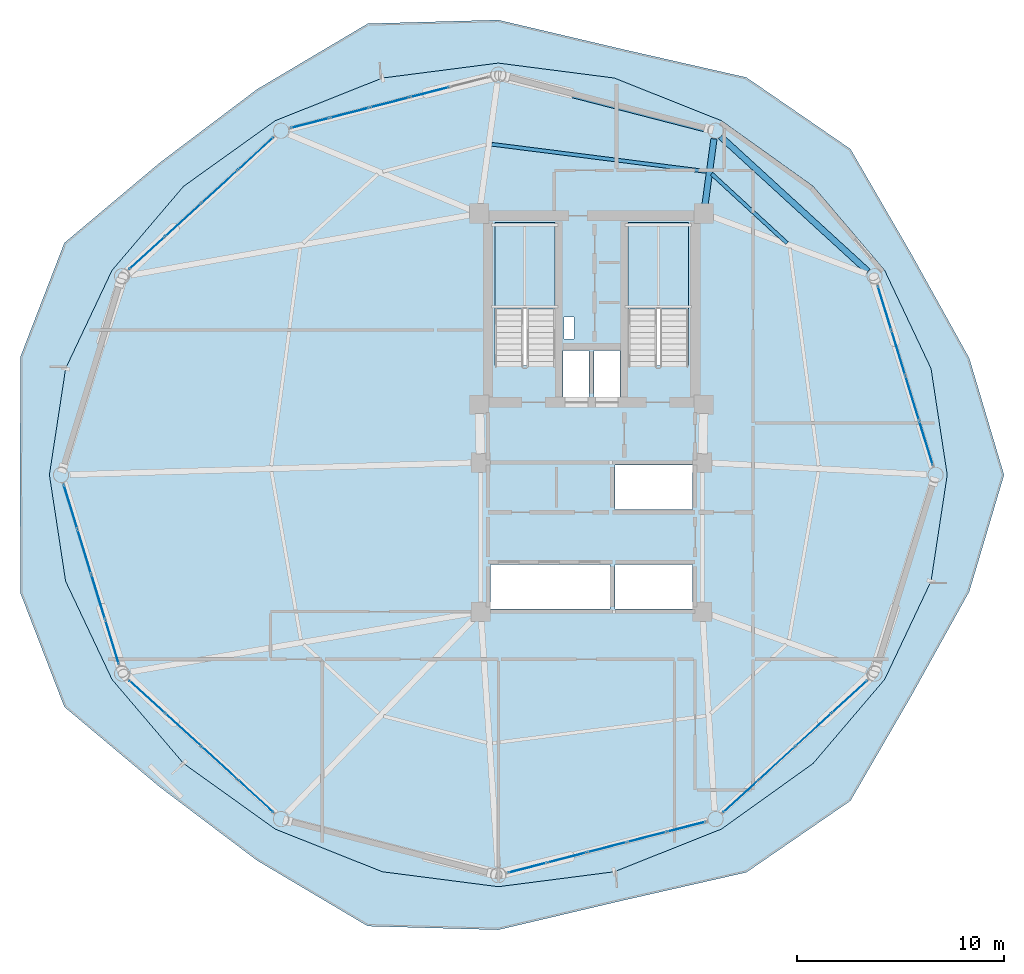
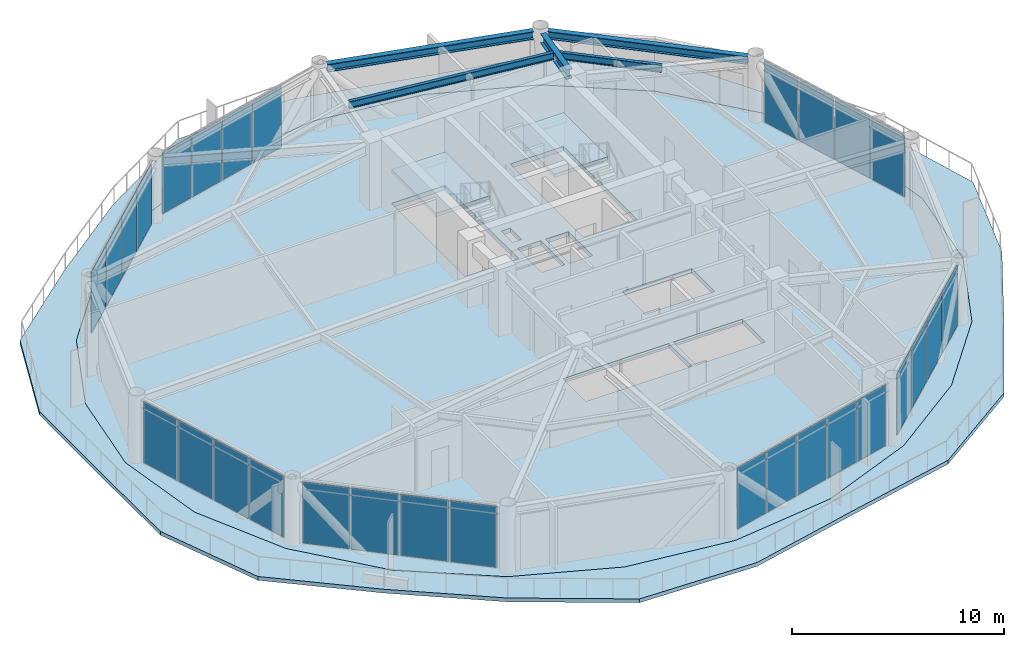
# One storey, part 17 of 23: 29 plates, 5 beams, 4 slabs, 9 elements without a shape of their own.
"""IFC4 building model written with IfcOpenShell, lengths in metres."""

from ifc_helpers import new_model, si_unit, direction, frame, origin, origin_2d, place, context, subcontext, project, spatial, polyline, rectangle, i_section, outline, extrude, source, transform, mapped, material, layer, layer_set, material_profile, profile_set, type_object, type_shapes, element, aggregate, save


model = new_model("IFC4")

# Units and contexts
model_context = context("Model", 3, precision=1e-05, world=origin(), true_north=direction((0.0, 1.0)))
body_context = subcontext(model_context, "Body", "Model", "MODEL_VIEW")
ifc_project = project(units=[si_unit("LENGTHUNIT", "METRE"), si_unit("AREAUNIT", "SQUARE_METRE"), si_unit("VOLUMEUNIT", "CUBIC_METRE"), si_unit("PLANEANGLEUNIT", "RADIAN"), si_unit("MASSUNIT", "GRAM", prefix="KILO")], contexts=[model_context])

# Site, building, storey
site_placement = place(None, origin())
site = spatial("IfcSite", under=ifc_project, at=site_placement, CompositionType="ELEMENT")
building_placement = place(site_placement, origin())
building = spatial("IfcBuilding", under=site, at=building_placement, Name="Varnakorn Sky Granary", CompositionType="ELEMENT")
storey_placement = place(building_placement, frame((0.0, 0.0, 130.5)))
storey = spatial("IfcBuildingStorey", under=building, at=storey_placement, Name="L32", CompositionType="ELEMENT", Elevation=130.5)

# Beams
ifc_material_1 = material(Name="Steel S355JR", Category="steel")
ifc_material_profile_1 = material_profile(ifc_material_1, i_section(OverallWidth=0.300048828125, OverallDepth=0.550048828125, WebThickness=0.014892578125, FlangeThickness=0.029052734375, at=origin_2d()), Name="HE 550 B")
ifc_profile_set_1 = profile_set([ifc_material_profile_1], Name="Steel S355JR")
beam_type_1 = type_object("IfcBeamType", Name="BM-RAD-Z3", PredefinedType="BEAM", material=ifc_profile_set_1)
beam_1_placement = place(storey_placement, frame((8.4765625, 13.0361328125, 3.364990234375), z_axis=(0.134485206373, 0.990915601485, 0.0), x_axis=(-0.990915601485, 0.134485206373, 0.0)))
element("IfcBeam", 1, at=beam_1_placement, inside=storey, type_object=beam_type_1, Name="Radial Floor Girder RG03 L32", PredefinedType="BEAM", context=body_context, shape_type="SweptSolid", body=[
    extrude(i_section(OverallWidth=0.300048828125, OverallDepth=0.550048828125, WebThickness=0.014892578125, FlangeThickness=0.029052734375, at=origin_2d()), origin(), (0.0, 0.0, 1.0), 3.20947265625),
])
ifc_material_profile_2 = material_profile(ifc_material_1, i_section(OverallWidth=0.179931640625, OverallDepth=0.39990234375, WebThickness=0.008544921875, FlangeThickness=0.013427734375, at=origin_2d()), Name="IPE 400")
ifc_profile_set_2 = profile_set([ifc_material_profile_2], Name="Steel S355JR")
beam_type_2 = type_object("IfcBeamType", Name="BM-SEC-Z3", PredefinedType="BEAM", material=ifc_profile_set_2)
beam_2_placement = place(storey_placement, frame((12.438720703125, 11.181396484375, 3.43994140625), z_axis=(-0.736106965498, 0.676865226869, 0.0), x_axis=(-0.676865226869, -0.736106965498, 0.0)))
element("IfcBeam", 2, at=beam_2_placement, inside=storey, type_object=beam_type_2, Name="Secondary Floor Chord Beam MSB02 L32", PredefinedType="BEAM", context=body_context, shape_type="SweptSolid", body=[
    extrude(i_section(OverallWidth=0.179931640625, OverallDepth=0.39990234375, WebThickness=0.008544921875, FlangeThickness=0.013427734375, at=origin_2d()), origin(), (0.0, 0.0, 1.0), 4.949462890625),
])
beam_3_placement = place(storey_placement, frame((8.553466796875, 14.64404296875, 3.43994140625), z_axis=(-0.992063350526, 0.125739049395, 0.0), x_axis=(-0.125739049395, -0.992063350526, 0.0)))
element("IfcBeam", 3, at=beam_3_placement, inside=storey, type_object=beam_type_2, Name="Secondary Floor Chord Beam MSB03 L32", PredefinedType="BEAM", context=body_context, shape_type="SweptSolid", body=[
    extrude(i_section(OverallWidth=0.179931640625, OverallDepth=0.39990234375, WebThickness=0.008544921875, FlangeThickness=0.013427734375, at=origin_2d()), origin(), (0.0, 0.0, 1.0), 10.453857421875),
])
ifc_material_profile_3 = material_profile(ifc_material_1, i_section(OverallWidth=0.300048828125, OverallDepth=0.449951171875, WebThickness=0.013916015625, FlangeThickness=0.02587890625, at=origin_2d()), Name="HE 450 B")
ifc_profile_set_3 = profile_set([ifc_material_profile_3], Name="Steel S355JR")
beam_type_3 = type_object("IfcBeamType", Name="BM-SPD-Z3", PredefinedType="SPANDREL", material=ifc_profile_set_3)
beam_4_placement = place(storey_placement, frame((16.343017578125, 9.819091796875, 3.4150390625), z_axis=(-0.737648769429, 0.6751846362, 0.0), x_axis=(-0.6751846362, -0.737648769429, 0.0)))
element("IfcBeam", 4, at=beam_4_placement, inside=storey, type_object=beam_type_3, Name="Perimeter Spandrel Ring Beam RB02 L32", PredefinedType="SPANDREL", context=body_context, shape_type="SweptSolid", body=[
    extrude(i_section(OverallWidth=0.300048828125, OverallDepth=0.449951171875, WebThickness=0.013916015625, FlangeThickness=0.02587890625, at=origin_2d()), origin(), (0.0, 0.0, 1.0), 9.646240234375),
])
beam_5_placement = place(storey_placement, frame((8.60302734375, 16.670654296875, 3.4150390625), z_axis=(-0.96825101145, 0.24997995685, 0.0), x_axis=(-0.24997995685, -0.96825101145, 0.0)))
element("IfcBeam", 5, at=beam_5_placement, inside=storey, type_object=beam_type_3, Name="Perimeter Spandrel Ring Beam RB03 L32", PredefinedType="SPANDREL", context=body_context, shape_type="SweptSolid", body=[
    extrude(i_section(OverallWidth=0.300048828125, OverallDepth=0.449951171875, WebThickness=0.013916015625, FlangeThickness=0.02587890625, at=origin_2d()), origin(), (0.0, 0.0, 1.0), 10.068115234375),
])

# Stair, slab
ifc_material_2 = material(Name="Concrete C40/50", Category="concrete")
stair_type = type_object("IfcStairType", Name="ST-MAIN-ASSEMBLY", PredefinedType="HALF_TURN_STAIR", material=ifc_material_2)
stair_1_placement = place(storey_placement, origin())
stair_1 = element("IfcStair", 6, at=stair_1_placement, inside=storey, type_object=stair_type, Name="L32 Protected Exit Stair ST-1", PredefinedType="HALF_TURN_STAIR")
ifc_layer_1 = layer(ifc_material_2, 0.199951171875, Name="Concrete C40/50")
ifc_layer_set_1 = layer_set([ifc_layer_1], Name="Concrete C40/50")
slab_type_1 = type_object("IfcSlabType", Name="ST-MAIN-LAND", PredefinedType="LANDING", material=ifc_layer_set_1)
slab_1_placement = place(storey_placement, frame((0.0, 0.0, 1.75)))
slab_1 = element("IfcSlab", 7, at=slab_1_placement, type_object=slab_type_1, Name="ST-1 landing 1", PredefinedType="LANDING", context=body_context, shape_type="SweptSolid", body=[
    extrude(outline(polyline([(1.239990234375, 8.0), (1.239990234375, 12.179931640625), (-1.669921875, 12.179931640625), (-1.669921875, 8.0), (1.239990234375, 8.0)])), origin(), (0.0, 0.0, 1.0), 0.199951171875),
])
aggregate(stair_1, [slab_1])

stair_2_placement = place(storey_placement, origin())
stair_2 = element("IfcStair", 8, at=stair_2_placement, inside=storey, type_object=stair_type, Name="L32 Protected Exit Stair ST-2", PredefinedType="HALF_TURN_STAIR")
slab_2_placement = place(storey_placement, frame((0.0, 0.0, 1.75)))
slab_2 = element("IfcSlab", 9, at=slab_2_placement, type_object=slab_type_1, Name="ST-2 landing 1", PredefinedType="LANDING", context=body_context, shape_type="SweptSolid", body=[
    extrude(outline(polyline([(7.679931640625, 8.0), (7.679931640625, 12.179931640625), (4.77001953125, 12.179931640625), (4.77001953125, 8.0), (7.679931640625, 8.0)])), origin(), (0.0, 0.0, 1.0), 0.199951171875),
])
aggregate(stair_2, [slab_2])

# Slabs
ifc_material_3 = material(Name="Precast concrete C40/50", Category="concrete")
ifc_layer_2 = layer(ifc_material_3, 0.219970703125, Name="Precast concrete C40/50")
ifc_layer_set_2 = layer_set([ifc_layer_2], Name="Precast concrete C40/50")
slab_type_2 = type_object("IfcSlabType", Name="ST-SL-DECK-220", PredefinedType="FLOOR", material=ifc_layer_set_2)
slab_3_placement = place(storey_placement, frame((0.0, 0.0, -0.219970703125)))
element("IfcSlab", 10, at=slab_3_placement, inside=storey, type_object=slab_type_2, Name="Wavy Sky-Farm Balcony Deck L32", PredefinedType="FLOOR", context=body_context, shape_type="SweptSolid", body=[
    extrude(outline(polyline([(22.906982421875, 0.0), (21.2294921875, 5.626708984375), (18.45361328125, 10.624755859375), (15.494384765625, 15.72802734375), (10.470947265625, 19.183349609375), (4.469482421875, 20.548583984375), (-1.5, 21.9560546875), (-7.799560546875, 21.7802734375), (-13.14111328125, 18.61181640625), (-17.83447265625, 15.068115234375), (-22.443603515625, 11.1962890625), (-24.559326171875, 5.715087890625), (-24.5869140625, 0.0), (-24.559326171875, -5.715087890625), (-22.443603515625, -11.1962890625), (-17.83447265625, -15.068115234375), (-13.14111328125, -18.61181640625), (-7.799560546875, -21.7802734375), (-1.5, -21.9560546875), (4.469482421875, -20.548583984375), (10.470947265625, -19.183349609375), (15.494384765625, -15.72802734375), (18.45361328125, -10.624755859375), (21.2294921875, -5.626708984375), (22.906982421875, 0.0)]), holes=[polyline([(20.1669921875, 0.0), (19.38525390625, 5.132568359375), (17.147216796875, 9.87060546875), (13.693603515625, 13.92724609375), (9.26611328125, 17.09619140625), (4.09619140625, 19.1552734375), (-1.5, 19.8759765625), (-7.09619140625, 19.1552734375), (-12.26611328125, 17.09619140625), (-16.693603515625, 13.92724609375), (-20.147216796875, 9.87060546875), (-22.38525390625, 5.132568359375), (-23.1669921875, 0.0), (-22.38525390625, -5.132568359375), (-20.147216796875, -9.87060546875), (-16.693603515625, -13.92724609375), (-12.26611328125, -17.09619140625), (-7.09619140625, -19.1552734375), (-1.5, -19.8759765625), (4.09619140625, -19.1552734375), (9.26611328125, -17.09619140625), (13.693603515625, -13.92724609375), (17.147216796875, -9.87060546875), (19.38525390625, -5.132568359375), (20.1669921875, 0.0)])]), origin(), (0.0, 0.0, 1.0), 0.219970703125),
])
ifc_material_4 = material(Name="Concrete C50/60", Category="concrete")
ifc_layer_3 = layer(ifc_material_4, 0.260009765625, Name="Concrete C50/60")
ifc_layer_set_3 = layer_set([ifc_layer_3], Name="Concrete C50/60")
slab_type_3 = type_object("IfcSlabType", Name="ST-SL-TWR-260", PredefinedType="FLOOR", material=ifc_layer_set_3)
slab_4_placement = place(storey_placement, frame((0.0, 0.0, -0.260009765625)))
element("IfcSlab", 11, at=slab_4_placement, inside=storey, type_object=slab_type_3, Name="Level L32 Structural Floor Slab", PredefinedType="FLOOR", context=body_context, shape_type="SweptSolid", body=[
    extrude(outline(polyline([(20.1669921875, 0.0), (19.38525390625, 5.132568359375), (17.147216796875, 9.87060546875), (13.693603515625, 13.92724609375), (9.26611328125, 17.09619140625), (4.09619140625, 19.1552734375), (-1.5, 19.8759765625), (-7.09619140625, 19.1552734375), (-12.26611328125, 17.09619140625), (-16.693603515625, 13.92724609375), (-20.147216796875, 9.87060546875), (-22.38525390625, 5.132568359375), (-23.1669921875, 0.0), (-22.38525390625, -5.132568359375), (-20.147216796875, -9.87060546875), (-16.693603515625, -13.92724609375), (-12.26611328125, -17.09619140625), (-7.09619140625, -19.1552734375), (-1.5, -19.8759765625), (4.09619140625, -19.1552734375), (9.26611328125, -17.09619140625), (13.693603515625, -13.92724609375), (17.147216796875, -9.87060546875), (19.38525390625, -5.132568359375), (20.1669921875, 0.0)]), holes=[polyline([(1.239990234375, 5.27490234375), (1.239990234375, 12.179931640625), (-1.669921875, 12.179931640625), (-1.669921875, 5.27490234375), (1.239990234375, 5.27490234375)]), polyline([(7.679931640625, 5.27490234375), (7.679931640625, 12.179931640625), (4.77001953125, 12.179931640625), (4.77001953125, 5.27490234375), (7.679931640625, 5.27490234375)]), polyline([(1.659912109375, 6.550048828125), (2.14990234375, 6.550048828125), (2.14990234375, 7.6201171875), (1.659912109375, 7.6201171875), (1.659912109375, 6.550048828125)]), polyline([(1.6201171875, 3.739990234375), (2.8798828125, 3.739990234375), (2.8798828125, 6.010009765625), (1.6201171875, 6.010009765625), (1.6201171875, 3.739990234375)]), polyline([(3.1201171875, 3.739990234375), (4.3798828125, 3.739990234375), (4.3798828125, 6.010009765625), (3.1201171875, 6.010009765625), (3.1201171875, 3.739990234375)]), polyline([(4.1201171875, -1.679931640625), (7.8798828125, -1.679931640625), (7.8798828125, 0.47998046875), (4.1201171875, 0.47998046875), (4.1201171875, -1.679931640625)]), polyline([(-1.8798828125, -6.47998046875), (3.8798828125, -6.47998046875), (3.8798828125, -4.320068359375), (-1.8798828125, -4.320068359375), (-1.8798828125, -6.47998046875)]), polyline([(4.1201171875, -6.47998046875), (7.8798828125, -6.47998046875), (7.8798828125, -4.320068359375), (4.1201171875, -4.320068359375), (4.1201171875, -6.47998046875)])]), origin(), (0.0, 0.0, 1.0), 0.260009765625),
])

# Curtain wall, plates
ifc_material_5 = material(Name="Anodised Bronze Aluminium Alloy 6063-T6", Category="aluminium")
ifc_layer_4 = layer(ifc_material_5, 0.179931640625, Name="Anodised Bronze Aluminium Alloy 6063-T6")
ifc_layer_set_4 = layer_set([ifc_layer_4], Name="Anodised Bronze Aluminium Alloy 6063-T6")
curtain_wall_type = type_object("IfcCurtainWallType", Name="CW-FRM-2", PredefinedType="USERDEFINED", material=ifc_layer_set_4)
curtain_wall_1_placement = place(storey_placement, origin())
curtain_wall_1 = element("IfcCurtainWall", 12, at=curtain_wall_1_placement, inside=storey, type_object=curtain_wall_type, Name="Unitised Curtain Wall CW4 CW-L32-B01", ObjectType="CURTAIN WALL", PredefinedType="USERDEFINED")
ifc_material_6 = material(Name="Opaque Insulated Aluminium Shadow-Box Unit", Category="aluminium")
ifc_layer_5 = layer(ifc_material_6, 0.02587890625, Name="Opaque Insulated Aluminium Shadow-Box Unit")
ifc_layer_set_5 = layer_set([ifc_layer_5], Name="Opaque Insulated Aluminium Shadow-Box Unit")
plate_type = type_object("IfcPlateType", Name="CW-FRM-2-PNL", PredefinedType="CURTAIN_PANEL")
shared_shape_1 = source(origin(), body_context, "Body", "SweptSolid", [
    extrude(rectangle(XDim=2.183837890625, YDim=0.02587890625, at=origin_2d()), origin(), (0.0, 0.0, 1.0), 3.510009765625),
])
plate_1_placement = place(storey_placement, frame((17.141357421875, 8.063232421875, 0.06494140625), z_axis=(0.0, 0.0, 1.0), x_axis=(0.293515533262, -0.955954304208, 0.0)))
plate_1 = element("IfcPlate", 13, at=plate_1_placement, type_object=plate_type, material=ifc_layer_set_5, Name="CW4 opaque insulated shadow-box unit 1.1", PredefinedType="CURTAIN_PANEL", context=body_context, shape_type="MappedRepresentation", body=[
    mapped(shared_shape_1, transform((0.0, 0.0, 0.0), x_axis=(1.0, 0.0, 0.0), y_axis=(0.0, 1.0, 0.0), z_axis=(0.0, 0.0, 1.0), scale=1.0)),
])
ifc_material_7 = material(Name="Low-E Tinted Laminated Glass", Category="glass")
ifc_layer_6 = layer(ifc_material_7, 0.02587890625, Name="Low-E Tinted Laminated Glass")
ifc_layer_set_6 = layer_set([ifc_layer_6], Name="Low-E Tinted Laminated Glass")
plate_2_placement = place(storey_placement, frame((19.146484375, 1.532470703125, 0.06494140625), z_axis=(0.0, 0.0, 1.0), x_axis=(0.293515533262, -0.955954304208, 0.0)))
plate_2 = element("IfcPlate", 14, at=plate_2_placement, type_object=plate_type, material=ifc_layer_set_6, Name="CW4 vision glazing unit 4.1", PredefinedType="CURTAIN_PANEL", context=body_context, shape_type="MappedRepresentation", body=[
    mapped(shared_shape_1, transform((0.0, 0.0, 0.0), x_axis=(1.0, 0.0, 0.0), y_axis=(0.0, 1.0, 0.0), z_axis=(0.0, 0.0, 1.0), scale=1.0)),
])

curtain_wall_2_placement = place(storey_placement, origin())
curtain_wall_2 = element("IfcCurtainWall", 15, at=curtain_wall_2_placement, inside=storey, type_object=curtain_wall_type, Name="Unitised Curtain Wall CW4 CW-L32-B07", ObjectType="CURTAIN WALL", PredefinedType="USERDEFINED")
plate_3_placement = place(storey_placement, frame((-20.141357421875, -8.063232421875, 0.06494140625), z_axis=(0.0, 0.0, 1.0), x_axis=(-0.293515533262, 0.955954304208, 0.0)))
plate_3 = element("IfcPlate", 16, at=plate_3_placement, type_object=plate_type, material=ifc_layer_set_5, Name="CW4 opaque insulated shadow-box unit 1.1", PredefinedType="CURTAIN_PANEL", context=body_context, shape_type="MappedRepresentation", body=[
    mapped(shared_shape_1, transform((0.0, 0.0, 0.0), x_axis=(1.0, 0.0, 0.0), y_axis=(0.0, 1.0, 0.0), z_axis=(0.0, 0.0, 1.0), scale=1.0)),
])
plate_4_placement = place(storey_placement, frame((-22.146484375, -1.532470703125, 0.06494140625), z_axis=(0.0, 0.0, 1.0), x_axis=(-0.293515533262, 0.955954304208, 0.0)))
plate_4 = element("IfcPlate", 17, at=plate_4_placement, type_object=plate_type, material=ifc_layer_set_6, Name="CW4 vision glazing unit 4.1", PredefinedType="CURTAIN_PANEL", context=body_context, shape_type="MappedRepresentation", body=[
    mapped(shared_shape_1, transform((0.0, 0.0, 0.0), x_axis=(1.0, 0.0, 0.0), y_axis=(0.0, 1.0, 0.0), z_axis=(0.0, 0.0, 1.0), scale=1.0)),
])

# Plate
shared_shape_2 = source(origin(), body_context, "Body", "SweptSolid", [
    extrude(rectangle(XDim=2.218994140625, YDim=0.02587890625, at=origin_2d()), origin(), (0.0, 0.0, 1.0), 3.510009765625),
])
plate_5_placement = place(storey_placement, frame((17.80810546875, 5.891845703125, 0.06494140625), z_axis=(0.0, 0.0, 1.0), x_axis=(0.293515533262, -0.955954304208, 0.0)))
plate_5 = element("IfcPlate", 18, at=plate_5_placement, type_object=plate_type, material=ifc_layer_set_5, Name="CW4 opaque insulated shadow-box unit 2.1", PredefinedType="CURTAIN_PANEL", context=body_context, shape_type="MappedRepresentation", body=[
    mapped(shared_shape_2, transform((0.0, 0.0, 0.0), x_axis=(1.0, 0.0, 0.0), y_axis=(0.0, 1.0, 0.0), z_axis=(0.0, 0.0, 1.0), scale=1.0)),
])

plate_6_placement = place(storey_placement, frame((18.47998046875, 3.70361328125, 0.06494140625), z_axis=(0.0, 0.0, 1.0), x_axis=(0.293515533262, -0.955954304208, 0.0)))
plate_6 = element("IfcPlate", 19, at=plate_6_placement, type_object=plate_type, material=ifc_layer_set_6, Name="CW4 vision glazing unit 3.1", PredefinedType="CURTAIN_PANEL", context=body_context, shape_type="MappedRepresentation", body=[
    mapped(shared_shape_2, transform((0.0, 0.0, 0.0), x_axis=(1.0, 0.0, 0.0), y_axis=(0.0, 1.0, 0.0), z_axis=(0.0, 0.0, 1.0), scale=1.0)),
])

aggregate(curtain_wall_1, [plate_1, plate_5, plate_6, plate_2])

plate_7_placement = place(storey_placement, frame((-20.80810546875, -5.891845703125, 0.06494140625), z_axis=(0.0, 0.0, 1.0), x_axis=(-0.293515533262, 0.955954304208, 0.0)))
plate_7 = element("IfcPlate", 20, at=plate_7_placement, type_object=plate_type, material=ifc_layer_set_5, Name="CW4 opaque insulated shadow-box unit 2.1", PredefinedType="CURTAIN_PANEL", context=body_context, shape_type="MappedRepresentation", body=[
    mapped(shared_shape_2, transform((0.0, 0.0, 0.0), x_axis=(1.0, 0.0, 0.0), y_axis=(0.0, 1.0, 0.0), z_axis=(0.0, 0.0, 1.0), scale=1.0)),
])

plate_8_placement = place(storey_placement, frame((-21.47998046875, -3.70361328125, 0.06494140625), z_axis=(0.0, 0.0, 1.0), x_axis=(-0.293515533262, 0.955954304208, 0.0)))
plate_8 = element("IfcPlate", 21, at=plate_8_placement, type_object=plate_type, material=ifc_layer_set_6, Name="CW4 vision glazing unit 3.1", PredefinedType="CURTAIN_PANEL", context=body_context, shape_type="MappedRepresentation", body=[
    mapped(shared_shape_2, transform((0.0, 0.0, 0.0), x_axis=(1.0, 0.0, 0.0), y_axis=(0.0, 1.0, 0.0), z_axis=(0.0, 0.0, 1.0), scale=1.0)),
])

aggregate(curtain_wall_2, [plate_3, plate_7, plate_8, plate_4])

# Curtain wall, plate
curtain_wall_3_placement = place(storey_placement, origin())
curtain_wall_3 = element("IfcCurtainWall", 22, at=curtain_wall_3_placement, inside=storey, type_object=curtain_wall_type, Name="Unitised Curtain Wall CW4 CW-L32-B04", ObjectType="CURTAIN WALL", PredefinedType="USERDEFINED")
shared_shape_3 = source(origin(), body_context, "Body", "SweptSolid", [
    extrude(rectangle(XDim=1.885498046875, YDim=0.02587890625, at=origin_2d()), origin(), (0.0, 0.0, 1.0), 3.510009765625),
])
plate_9_placement = place(storey_placement, frame((-10.583251953125, 16.98291015625, 0.06494140625), z_axis=(0.0, 0.0, 1.0), x_axis=(0.968303276034, 0.249777432172, 0.0)))
plate_9 = element("IfcPlate", 23, at=plate_9_placement, type_object=plate_type, material=ifc_layer_set_6, Name="CW4 vision glazing unit 1.1", PredefinedType="CURTAIN_PANEL", context=body_context, shape_type="MappedRepresentation", body=[
    mapped(shared_shape_3, transform((0.0, 0.0, 0.0), x_axis=(1.0, 0.0, 0.0), y_axis=(0.0, 1.0, 0.0), z_axis=(0.0, 0.0, 1.0), scale=1.0)),
])

# Curtain wall, plates
curtain_wall_4_placement = place(storey_placement, origin())
curtain_wall_4 = element("IfcCurtainWall", 24, at=curtain_wall_4_placement, inside=storey, type_object=curtain_wall_type, Name="Unitised Curtain Wall CW4 CW-L32-B10", ObjectType="CURTAIN WALL", PredefinedType="USERDEFINED")
plate_10_placement = place(storey_placement, frame((7.583251953125, -16.98291015625, 0.06494140625), z_axis=(0.0, 0.0, 1.0), x_axis=(-0.968303276034, -0.249777432172, 0.0)))
plate_10 = element("IfcPlate", 25, at=plate_10_placement, type_object=plate_type, material=ifc_layer_set_6, Name="CW4 vision glazing unit 1.1", PredefinedType="CURTAIN_PANEL", context=body_context, shape_type="MappedRepresentation", body=[
    mapped(shared_shape_3, transform((0.0, 0.0, 0.0), x_axis=(1.0, 0.0, 0.0), y_axis=(0.0, 1.0, 0.0), z_axis=(0.0, 0.0, 1.0), scale=1.0)),
])
plate_11_placement = place(storey_placement, frame((-0.09228515625, -18.962890625, 0.06494140625), z_axis=(0.0, 0.0, 1.0), x_axis=(-0.968303276034, -0.249777432172, 0.0)))
plate_11 = element("IfcPlate", 26, at=plate_11_placement, type_object=plate_type, material=ifc_layer_set_5, Name="CW4 opaque insulated shadow-box unit 5.1", PredefinedType="CURTAIN_PANEL", context=body_context, shape_type="MappedRepresentation", body=[
    mapped(shared_shape_3, transform((0.0, 0.0, 0.0), x_axis=(1.0, 0.0, 0.0), y_axis=(0.0, 1.0, 0.0), z_axis=(0.0, 0.0, 1.0), scale=1.0)),
])

# Plate
shared_shape_4 = source(origin(), body_context, "Body", "SweptSolid", [
    extrude(rectangle(XDim=1.92041015625, YDim=0.02587890625, at=origin_2d()), origin(), (0.0, 0.0, 1.0), 3.510009765625),
])
plate_12_placement = place(storey_placement, frame((-8.6728515625, 17.475830078125, 0.06494140625), z_axis=(0.0, 0.0, 1.0), x_axis=(0.968303276034, 0.249777432172, 0.0)))
plate_12 = element("IfcPlate", 27, at=plate_12_placement, type_object=plate_type, material=ifc_layer_set_6, Name="CW4 vision glazing unit 2.1", PredefinedType="CURTAIN_PANEL", context=body_context, shape_type="MappedRepresentation", body=[
    mapped(shared_shape_4, transform((0.0, 0.0, 0.0), x_axis=(1.0, 0.0, 0.0), y_axis=(0.0, 1.0, 0.0), z_axis=(0.0, 0.0, 1.0), scale=1.0)),
])

plate_13_placement = place(storey_placement, frame((-6.74560546875, 17.972900390625, 0.06494140625), z_axis=(0.0, 0.0, 1.0), x_axis=(0.968303276034, 0.249777432172, 0.0)))
plate_13 = element("IfcPlate", 28, at=plate_13_placement, type_object=plate_type, material=ifc_layer_set_6, Name="CW4 vision glazing unit 3.1", PredefinedType="CURTAIN_PANEL", context=body_context, shape_type="MappedRepresentation", body=[
    mapped(shared_shape_4, transform((0.0, 0.0, 0.0), x_axis=(1.0, 0.0, 0.0), y_axis=(0.0, 1.0, 0.0), z_axis=(0.0, 0.0, 1.0), scale=1.0)),
])

plate_14_placement = place(storey_placement, frame((-4.818115234375, 18.47021484375, 0.06494140625), z_axis=(0.0, 0.0, 1.0), x_axis=(0.968303276034, 0.249777432172, 0.0)))
plate_14 = element("IfcPlate", 29, at=plate_14_placement, type_object=plate_type, material=ifc_layer_set_5, Name="CW4 opaque insulated shadow-box unit 4.1", PredefinedType="CURTAIN_PANEL", context=body_context, shape_type="MappedRepresentation", body=[
    mapped(shared_shape_4, transform((0.0, 0.0, 0.0), x_axis=(1.0, 0.0, 0.0), y_axis=(0.0, 1.0, 0.0), z_axis=(0.0, 0.0, 1.0), scale=1.0)),
])

aggregate(curtain_wall_3, [plate_9, plate_12, plate_13, plate_14])

plate_15_placement = place(storey_placement, frame((5.6728515625, -17.475830078125, 0.06494140625), z_axis=(0.0, 0.0, 1.0), x_axis=(-0.968303276034, -0.249777432172, 0.0)))
plate_15 = element("IfcPlate", 30, at=plate_15_placement, type_object=plate_type, material=ifc_layer_set_6, Name="CW4 vision glazing unit 2.1", PredefinedType="CURTAIN_PANEL", context=body_context, shape_type="MappedRepresentation", body=[
    mapped(shared_shape_4, transform((0.0, 0.0, 0.0), x_axis=(1.0, 0.0, 0.0), y_axis=(0.0, 1.0, 0.0), z_axis=(0.0, 0.0, 1.0), scale=1.0)),
])

plate_16_placement = place(storey_placement, frame((3.74560546875, -17.972900390625, 0.06494140625), z_axis=(0.0, 0.0, 1.0), x_axis=(-0.968303276034, -0.249777432172, 0.0)))
plate_16 = element("IfcPlate", 31, at=plate_16_placement, type_object=plate_type, material=ifc_layer_set_6, Name="CW4 vision glazing unit 3.1", PredefinedType="CURTAIN_PANEL", context=body_context, shape_type="MappedRepresentation", body=[
    mapped(shared_shape_4, transform((0.0, 0.0, 0.0), x_axis=(1.0, 0.0, 0.0), y_axis=(0.0, 1.0, 0.0), z_axis=(0.0, 0.0, 1.0), scale=1.0)),
])

plate_17_placement = place(storey_placement, frame((1.818115234375, -18.47021484375, 0.06494140625), z_axis=(0.0, 0.0, 1.0), x_axis=(-0.968303276034, -0.249777432172, 0.0)))
plate_17 = element("IfcPlate", 32, at=plate_17_placement, type_object=plate_type, material=ifc_layer_set_5, Name="CW4 opaque insulated shadow-box unit 4.1", PredefinedType="CURTAIN_PANEL", context=body_context, shape_type="MappedRepresentation", body=[
    mapped(shared_shape_4, transform((0.0, 0.0, 0.0), x_axis=(1.0, 0.0, 0.0), y_axis=(0.0, 1.0, 0.0), z_axis=(0.0, 0.0, 1.0), scale=1.0)),
])

aggregate(curtain_wall_4, [plate_10, plate_15, plate_16, plate_17, plate_11])

# Curtain wall, plates
curtain_wall_5_placement = place(storey_placement, origin())
curtain_wall_5 = element("IfcCurtainWall", 33, at=curtain_wall_5_placement, inside=storey, type_object=curtain_wall_type, Name="Unitised Curtain Wall CW4 CW-L32-B05", ObjectType="CURTAIN WALL", PredefinedType="USERDEFINED")
shared_shape_5 = source(origin(), body_context, "Body", "SweptSolid", [
    extrude(rectangle(XDim=2.2763671875, YDim=0.02587890625, at=origin_2d()), origin(), (0.0, 0.0, 1.0), 3.510009765625),
])
plate_18_placement = place(storey_placement, frame((-18.453857421875, 10.70849609375, 0.06494140625), z_axis=(0.0, 0.0, 1.0), x_axis=(0.737893171975, 0.67491752589, 0.0)))
plate_18 = element("IfcPlate", 34, at=plate_18_placement, type_object=plate_type, material=ifc_layer_set_5, Name="CW4 opaque insulated shadow-box unit 1.1", PredefinedType="CURTAIN_PANEL", context=body_context, shape_type="MappedRepresentation", body=[
    mapped(shared_shape_5, transform((0.0, 0.0, 0.0), x_axis=(1.0, 0.0, 0.0), y_axis=(0.0, 1.0, 0.0), z_axis=(0.0, 0.0, 1.0), scale=1.0)),
])
plate_19_placement = place(storey_placement, frame((-13.2080078125, 15.5068359375, 0.06494140625), z_axis=(0.0, 0.0, 1.0), x_axis=(0.737893171975, 0.67491752589, 0.0)))
plate_19 = element("IfcPlate", 35, at=plate_19_placement, type_object=plate_type, material=ifc_layer_set_6, Name="CW4 vision glazing unit 4.1", PredefinedType="CURTAIN_PANEL", context=body_context, shape_type="MappedRepresentation", body=[
    mapped(shared_shape_5, transform((0.0, 0.0, 0.0), x_axis=(1.0, 0.0, 0.0), y_axis=(0.0, 1.0, 0.0), z_axis=(0.0, 0.0, 1.0), scale=1.0)),
])

curtain_wall_6_placement = place(storey_placement, origin())
curtain_wall_6 = element("IfcCurtainWall", 36, at=curtain_wall_6_placement, inside=storey, type_object=curtain_wall_type, Name="Unitised Curtain Wall CW4 CW-L32-B08", ObjectType="CURTAIN WALL", PredefinedType="USERDEFINED")
plate_20_placement = place(storey_placement, frame((-13.2080078125, -15.5068359375, 0.06494140625), z_axis=(0.0, 0.0, 1.0), x_axis=(-0.737893171975, 0.67491752589, 0.0)))
plate_20 = element("IfcPlate", 37, at=plate_20_placement, type_object=plate_type, material=ifc_layer_set_6, Name="CW4 vision glazing unit 1.1", PredefinedType="CURTAIN_PANEL", context=body_context, shape_type="MappedRepresentation", body=[
    mapped(shared_shape_5, transform((0.0, 0.0, 0.0), x_axis=(1.0, 0.0, 0.0), y_axis=(0.0, 1.0, 0.0), z_axis=(0.0, 0.0, 1.0), scale=1.0)),
])
plate_21_placement = place(storey_placement, frame((-18.453857421875, -10.70849609375, 0.06494140625), z_axis=(0.0, 0.0, 1.0), x_axis=(-0.737893171975, 0.67491752589, 0.0)))
plate_21 = element("IfcPlate", 38, at=plate_21_placement, type_object=plate_type, material=ifc_layer_set_5, Name="CW4 opaque insulated shadow-box unit 4.1", PredefinedType="CURTAIN_PANEL", context=body_context, shape_type="MappedRepresentation", body=[
    mapped(shared_shape_5, transform((0.0, 0.0, 0.0), x_axis=(1.0, 0.0, 0.0), y_axis=(0.0, 1.0, 0.0), z_axis=(0.0, 0.0, 1.0), scale=1.0)),
])

curtain_wall_7_placement = place(storey_placement, origin())
curtain_wall_7 = element("IfcCurtainWall", 39, at=curtain_wall_7_placement, inside=storey, type_object=curtain_wall_type, Name="Unitised Curtain Wall CW4 CW-L32-B11", ObjectType="CURTAIN WALL", PredefinedType="USERDEFINED")
plate_22_placement = place(storey_placement, frame((15.453857421875, -10.70849609375, 0.06494140625), z_axis=(0.0, 0.0, 1.0), x_axis=(-0.737893171975, -0.67491752589, 0.0)))
plate_22 = element("IfcPlate", 40, at=plate_22_placement, type_object=plate_type, material=ifc_layer_set_5, Name="CW4 opaque insulated shadow-box unit 1.1", PredefinedType="CURTAIN_PANEL", context=body_context, shape_type="MappedRepresentation", body=[
    mapped(shared_shape_5, transform((0.0, 0.0, 0.0), x_axis=(1.0, 0.0, 0.0), y_axis=(0.0, 1.0, 0.0), z_axis=(0.0, 0.0, 1.0), scale=1.0)),
])
plate_23_placement = place(storey_placement, frame((10.2080078125, -15.5068359375, 0.06494140625), z_axis=(0.0, 0.0, 1.0), x_axis=(-0.737893171975, -0.67491752589, 0.0)))
plate_23 = element("IfcPlate", 41, at=plate_23_placement, type_object=plate_type, material=ifc_layer_set_6, Name="CW4 vision glazing unit 4.1", PredefinedType="CURTAIN_PANEL", context=body_context, shape_type="MappedRepresentation", body=[
    mapped(shared_shape_5, transform((0.0, 0.0, 0.0), x_axis=(1.0, 0.0, 0.0), y_axis=(0.0, 1.0, 0.0), z_axis=(0.0, 0.0, 1.0), scale=1.0)),
])

# Plate
shared_shape_6 = source(origin(), body_context, "Body", "SweptSolid", [
    extrude(rectangle(XDim=2.3115234375, YDim=0.02587890625, at=origin_2d()), origin(), (0.0, 0.0, 1.0), 3.510009765625),
])
type_shapes(plate_type, [shared_shape_1, shared_shape_2, shared_shape_3, shared_shape_4, shared_shape_5, shared_shape_6])
plate_24_placement = place(storey_placement, frame((-16.70947265625, 12.303955078125, 0.06494140625), z_axis=(0.0, 0.0, 1.0), x_axis=(0.737893171975, 0.67491752589, 0.0)))
plate_24 = element("IfcPlate", 42, at=plate_24_placement, type_object=plate_type, material=ifc_layer_set_5, Name="CW4 opaque insulated shadow-box unit 2.1", PredefinedType="CURTAIN_PANEL", context=body_context, shape_type="MappedRepresentation", body=[
    mapped(shared_shape_6, transform((0.0, 0.0, 0.0), x_axis=(1.0, 0.0, 0.0), y_axis=(0.0, 1.0, 0.0), z_axis=(0.0, 0.0, 1.0), scale=1.0)),
])

plate_25_placement = place(storey_placement, frame((-14.952392578125, 13.911376953125, 0.06494140625), z_axis=(0.0, 0.0, 1.0), x_axis=(0.737893171975, 0.67491752589, 0.0)))
plate_25 = element("IfcPlate", 43, at=plate_25_placement, type_object=plate_type, material=ifc_layer_set_6, Name="CW4 vision glazing unit 3.1", PredefinedType="CURTAIN_PANEL", context=body_context, shape_type="MappedRepresentation", body=[
    mapped(shared_shape_6, transform((0.0, 0.0, 0.0), x_axis=(1.0, 0.0, 0.0), y_axis=(0.0, 1.0, 0.0), z_axis=(0.0, 0.0, 1.0), scale=1.0)),
])

aggregate(curtain_wall_5, [plate_18, plate_24, plate_25, plate_19])

plate_26_placement = place(storey_placement, frame((-14.952392578125, -13.911376953125, 0.06494140625), z_axis=(0.0, 0.0, 1.0), x_axis=(-0.737893171975, 0.67491752589, 0.0)))
plate_26 = element("IfcPlate", 44, at=plate_26_placement, type_object=plate_type, material=ifc_layer_set_6, Name="CW4 vision glazing unit 2.1", PredefinedType="CURTAIN_PANEL", context=body_context, shape_type="MappedRepresentation", body=[
    mapped(shared_shape_6, transform((0.0, 0.0, 0.0), x_axis=(1.0, 0.0, 0.0), y_axis=(0.0, 1.0, 0.0), z_axis=(0.0, 0.0, 1.0), scale=1.0)),
])

plate_27_placement = place(storey_placement, frame((-16.70947265625, -12.303955078125, 0.06494140625), z_axis=(0.0, 0.0, 1.0), x_axis=(-0.737893171975, 0.67491752589, 0.0)))
plate_27 = element("IfcPlate", 45, at=plate_27_placement, type_object=plate_type, material=ifc_layer_set_5, Name="CW4 opaque insulated shadow-box unit 3.1", PredefinedType="CURTAIN_PANEL", context=body_context, shape_type="MappedRepresentation", body=[
    mapped(shared_shape_6, transform((0.0, 0.0, 0.0), x_axis=(1.0, 0.0, 0.0), y_axis=(0.0, 1.0, 0.0), z_axis=(0.0, 0.0, 1.0), scale=1.0)),
])

aggregate(curtain_wall_6, [plate_20, plate_26, plate_27, plate_21])

plate_28_placement = place(storey_placement, frame((13.70947265625, -12.303955078125, 0.06494140625), z_axis=(0.0, 0.0, 1.0), x_axis=(-0.737893171975, -0.67491752589, 0.0)))
plate_28 = element("IfcPlate", 46, at=plate_28_placement, type_object=plate_type, material=ifc_layer_set_5, Name="CW4 opaque insulated shadow-box unit 2.1", PredefinedType="CURTAIN_PANEL", context=body_context, shape_type="MappedRepresentation", body=[
    mapped(shared_shape_6, transform((0.0, 0.0, 0.0), x_axis=(1.0, 0.0, 0.0), y_axis=(0.0, 1.0, 0.0), z_axis=(0.0, 0.0, 1.0), scale=1.0)),
])

plate_29_placement = place(storey_placement, frame((11.952392578125, -13.911376953125, 0.06494140625), z_axis=(0.0, 0.0, 1.0), x_axis=(-0.737893171975, -0.67491752589, 0.0)))
plate_29 = element("IfcPlate", 47, at=plate_29_placement, type_object=plate_type, material=ifc_layer_set_6, Name="CW4 vision glazing unit 3.1", PredefinedType="CURTAIN_PANEL", context=body_context, shape_type="MappedRepresentation", body=[
    mapped(shared_shape_6, transform((0.0, 0.0, 0.0), x_axis=(1.0, 0.0, 0.0), y_axis=(0.0, 1.0, 0.0), z_axis=(0.0, 0.0, 1.0), scale=1.0)),
])

aggregate(curtain_wall_7, [plate_22, plate_28, plate_29, plate_23])

save(model, "model.ifc")
